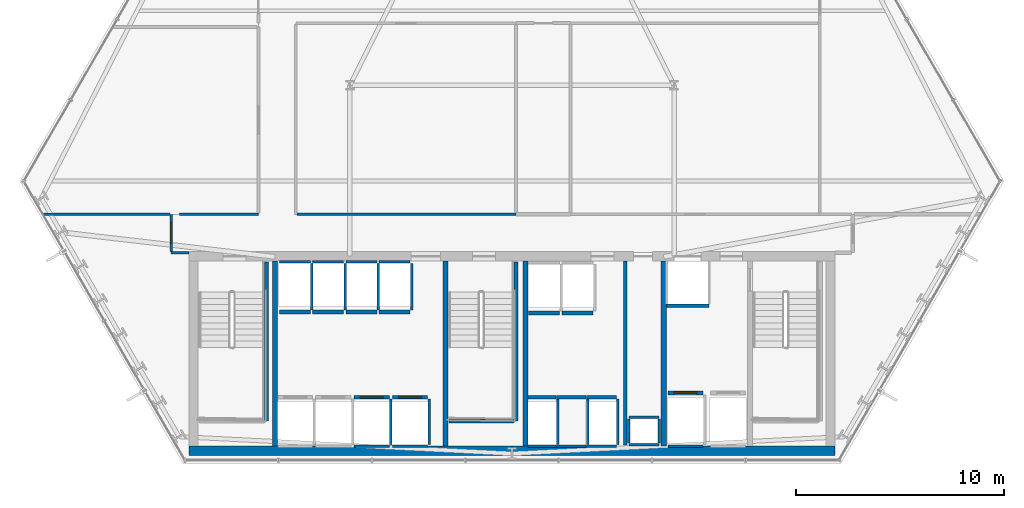
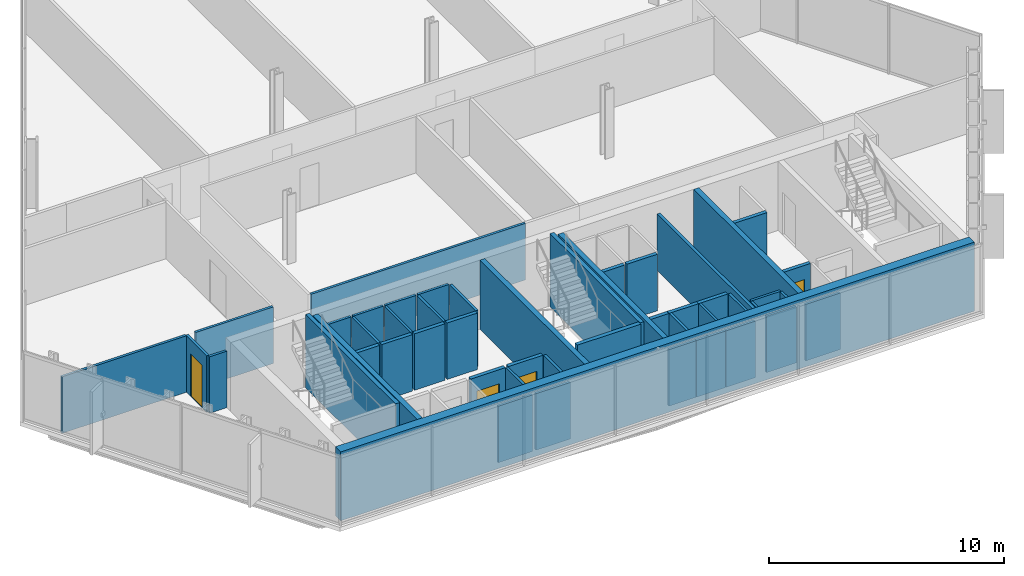
# One storey, part 26 of 32: 50 walls, 4 doors, 4 openings.
"""IFC4 building model written with IfcOpenShell, lengths in metres."""

import ifcopenshell
import ifcopenshell.guid

model = None  # the IFC model being written
_history = None  # IfcOwnerHistory: only IFC2X3 demands one
_inside = {}  # id of a spatial element -> (the spatial element, [elements in it])
_under = {}  # id of a project, library or spatial element -> (it, [spatial elements below it])
_declared = {}  # id of a project -> (the project, [libraries it declares])
_typed = {}  # id of a type object -> (the type object, [elements of that type])
_made_of = {}  # id of a material, layer set ... -> (it, [elements and type objects made of it])


def new_model(schema):
    """Start an empty IFC model of exactly this schema.

    Asked for "IFC4X3", IfcOpenShell would pick the latest addendum, in which some entities
    have other attributes; the version numbers below select the first issue.
    IFC2X3 requires an IfcOwnerHistory on every rooted entity: one is made here for all.
    """
    global model, _history
    if schema == "IFC4X3":
        model = ifcopenshell.file(schema_version=(4, 3, 0, 0))
    else:
        model = ifcopenshell.file(schema=schema)
    _inside.clear()
    _under.clear()
    _declared.clear()
    _typed.clear()
    _made_of.clear()
    _history = None
    if model.schema == "IFC2X3":
        org = make("IfcOrganization", Name="unknown")
        user = make(
            "IfcPersonAndOrganization",
            ThePerson=make("IfcPerson", FamilyName="unknown"),
            TheOrganization=org,
        )
        app = make(
            "IfcApplication",
            ApplicationDeveloper=org,
            Version="unknown",
            ApplicationFullName="unknown",
            ApplicationIdentifier="unknown",
        )
        _history = make(
            "IfcOwnerHistory",
            OwningUser=user,
            OwningApplication=app,
            ChangeAction="ADDED",
            CreationDate=0,
        )
    return model


def make(cls, **values):
    """One entity of the class cls with the attributes given. An attribute that is None is left unset."""
    return model.create_entity(
        cls, **{name: value for name, value in values.items() if value is not None}
    )


def rooted(cls, **values):
    """An entity with a GlobalId (a new one), such as an element, a storey or a relation."""
    return make(cls, GlobalId=ifcopenshell.guid.new(), OwnerHistory=_history, **values)


def si_unit(unit_type, name, prefix=None):
    """IfcSIUnit, for example si_unit("LENGTHUNIT", "METRE", prefix="MILLI")."""
    return make("IfcSIUnit", UnitType=unit_type, Prefix=prefix, Name=name)


def assignment(units):
    """IfcUnitAssignment: the units of a project."""
    return None if units is None else make("IfcUnitAssignment", Units=units)


def point(xyz):
    """IfcCartesianPoint."""
    return None if xyz is None else make("IfcCartesianPoint", Coordinates=xyz)


def direction(xyz):
    """IfcDirection."""
    return None if xyz is None else make("IfcDirection", DirectionRatios=xyz)


def frame(location, z_axis=None, x_axis=None):
    """IfcAxis2Placement3D, a coordinate frame: its origin and axes. An axis left out is left unset."""
    return make(
        "IfcAxis2Placement3D",
        Location=point(location),
        Axis=direction(z_axis),
        RefDirection=direction(x_axis),
    )


def frame_2d(location, x_axis=None):
    """IfcAxis2Placement2D, a coordinate frame in the plane: its origin and x axis."""
    return make(
        "IfcAxis2Placement2D", Location=point(location), RefDirection=direction(x_axis)
    )


def origin():
    """The frame at (0, 0, 0) with its axes left unset."""
    return frame((0.0, 0.0, 0.0))


def place(relative_to, where):
    """IfcLocalPlacement: puts the frame where relative to a parent placement (None: the world)."""
    return make(
        "IfcLocalPlacement", PlacementRelTo=relative_to, RelativePlacement=where
    )


def context(
    kind, dimensions, precision=None, world=None, true_north=None, identifier=None
):
    """IfcGeometricRepresentationContext, for example the 3D "Model" context."""
    return make(
        "IfcGeometricRepresentationContext",
        ContextIdentifier=identifier,
        ContextType=kind,
        CoordinateSpaceDimension=dimensions,
        Precision=precision,
        WorldCoordinateSystem=world,
        TrueNorth=true_north,
    )


def subcontext(parent, identifier, kind, view, scale=None):
    """IfcGeometricRepresentationSubContext, for example "Body" below "Model"."""
    return make(
        "IfcGeometricRepresentationSubContext",
        ContextIdentifier=identifier,
        ContextType=kind,
        ParentContext=parent,
        TargetScale=scale,
        TargetView=view,
    )


def project(units=None, contexts=None):
    """IfcProject with its units and contexts."""
    return rooted(
        "IfcProject",
        Name="project",
        RepresentationContexts=contexts,
        UnitsInContext=assignment(units),
    )


def spatial(cls, under=None, at=None, **own):
    """A site, building, storey or space (cls), placed at a placement, below another one or the project."""
    s = rooted(cls, ObjectPlacement=at, **own)
    if under is not None:
        _under.setdefault(under.id(), (under, []))[1].append(s)
    return s


def profile(cls, at=None, kind="AREA", **sizes):
    """A parametric profile (cls). Its sizes go by their IFC names, for example OverallWidth=200.0."""
    return make(cls, ProfileType=kind, Position=at, **sizes)


def rectangle(**sizes):
    """IfcRectangleProfileDef."""
    return profile("IfcRectangleProfileDef", **sizes)


def extrude(swept, where, along, depth):
    """IfcExtrudedAreaSolid: the profile swept, set in the frame where, extruded along a direction by depth."""
    return make(
        "IfcExtrudedAreaSolid",
        SweptArea=swept,
        Position=where,
        ExtrudedDirection=direction(along),
        Depth=depth,
    )


def shape(context_of_items, identifier, shape_type, items):
    """IfcShapeRepresentation: the items that make up one representation, for example the "Body"."""
    return make(
        "IfcShapeRepresentation",
        ContextOfItems=context_of_items,
        RepresentationIdentifier=identifier,
        RepresentationType=shape_type,
        Items=items,
    )


def material(Name=None, Category=None):
    """IfcMaterial."""
    return make("IfcMaterial", Name=Name, Category=Category)


def layer(
    of_material, thickness, ventilated=None, Name=None, Category=None, Priority=None
):
    """IfcMaterialLayer: one layer of a wall or slab, of a material (None: an air gap)."""
    return make(
        "IfcMaterialLayer",
        Material=of_material,
        LayerThickness=thickness,
        IsVentilated=ventilated,
        Name=Name,
        Category=Category,
        Priority=Priority,
    )


def layer_set(layers, Name=None):
    """IfcMaterialLayerSet."""
    return make("IfcMaterialLayerSet", MaterialLayers=layers, LayerSetName=Name)


def made_of(thing, what):
    """Note that an element or type object is made of a material, layer set ...; save() writes the relation."""
    if what is not None:
        _made_of.setdefault(what.id(), (what, []))[1].append(thing)
    return thing


def type_object(cls, material=None, **own):
    """A type object (cls), such as IfcWallType, which elements share."""
    return made_of(rooted(cls, **own), material)


def element(
    cls,
    number,
    at=None,
    inside=None,
    cuts=None,
    type_object=None,
    material=None,
    context=None,
    identifier="Body",
    shape_type=None,
    held_by="IfcProductDefinitionShape",
    body=None,
    shapes=None,
    **own,
):
    """One element of the class cls, such as IfcWall. Its Tag is "e" and its number.

    at: its placement. inside: the storey or other place that contains it. cuts: it is an
    opening in that element (IfcRelVoidsElement). A single representation is given by context,
    identifier, shape_type and body (its items); several are given by shapes. held_by: the class
    of the entity that holds the representations. save() writes the other relations.
    """
    e = rooted(cls, Tag="e%d" % number, ObjectPlacement=at, **own)
    if body is not None:
        shapes = [shape(context, identifier, shape_type, body)]
    if shapes is not None:
        e.Representation = make(held_by, Representations=shapes)
    if inside is not None:
        _inside.setdefault(inside.id(), (inside, []))[1].append(e)
    if cuts is not None:
        rooted(
            "IfcRelVoidsElement", RelatingBuildingElement=cuts, RelatedOpeningElement=e
        )
    if type_object is not None:
        _typed.setdefault(type_object.id(), (type_object, []))[1].append(e)
    return made_of(e, material)


def fill(opening, filler):
    """IfcRelFillsElement: the door or window that sits in an opening."""
    return rooted(
        "IfcRelFillsElement",
        RelatingOpeningElement=opening,
        RelatedBuildingElement=filler,
    )


def aggregate(whole, parts):
    """IfcRelAggregates: a whole, such as a stair, and the parts it consists of."""
    return rooted("IfcRelAggregates", RelatingObject=whole, RelatedObjects=parts)


def save(model, path):
    """Write the relations noted so far, then the file.

    IfcRelAggregates (storeys below a building ...), IfcRelContainedInSpatialStructure (elements
    in a storey), IfcRelDefinesByType, IfcRelAssociatesMaterial and IfcRelDeclares: one each for
    every whole, place, type object, material and project.
    """
    for whole, parts in _under.values():
        aggregate(whole, parts)
    for where, things in _inside.values():
        rooted(
            "IfcRelContainedInSpatialStructure",
            RelatedElements=things,
            RelatingStructure=where,
        )
    for kind, things in _typed.values():
        rooted("IfcRelDefinesByType", RelatedObjects=things, RelatingType=kind)
    for what, things in _made_of.values():
        rooted("IfcRelAssociatesMaterial", RelatedObjects=things, RelatingMaterial=what)
    for by, libraries in _declared.values():
        rooted("IfcRelDeclares", RelatingContext=by, RelatedDefinitions=libraries)
    model.write(path)


model = new_model("IFC4")

# Units and contexts
model_context = context("Model", 3, precision=1e-05, world=origin(), true_north=direction((0.0, 1.0)))
body_context = subcontext(model_context, "Body", "Model", "MODEL_VIEW")
ifc_project = project(units=[si_unit("LENGTHUNIT", "METRE"), si_unit("AREAUNIT", "SQUARE_METRE"), si_unit("VOLUMEUNIT", "CUBIC_METRE"), si_unit("PLANEANGLEUNIT", "RADIAN"), si_unit("MASSUNIT", "GRAM", prefix="KILO")], contexts=[model_context])

# Site, building, storey
site_placement = place(None, origin())
site = spatial("IfcSite", under=ifc_project, at=site_placement, CompositionType="ELEMENT")
building_placement = place(site_placement, origin())
building = spatial("IfcBuilding", under=site, at=building_placement, Name="Ndaravel Arena Tower", CompositionType="ELEMENT")
storey_placement = place(building_placement, frame((0.0, 0.0, 62.60009765625)))
storey = spatial("IfcBuildingStorey", under=building, at=storey_placement, Name="L13", CompositionType="ELEMENT", Elevation=62.60009765625)

# Walls
ifc_material_1 = material(Name="Gypsum", Category="gypsum")
ifc_layer_1 = layer(ifc_material_1, 0.14990234375)
ifc_layer_set_1 = layer_set([ifc_layer_1], Name="Gypsum")
wall_type_1 = type_object("IfcWallType", Name="WALL-COMP-150", PredefinedType="PARTITIONING", material=ifc_layer_set_1)
wall_1_placement = place(storey_placement, frame((47.449951171875, 5.89990234375, 0.0), z_axis=(0.0, 0.0, 1.0), x_axis=(0.0, 1.0, 0.0)))
element("IfcWall", 1, at=wall_1_placement, inside=storey, type_object=wall_type_1, Name="L13 Core Riser Bay Partition", PredefinedType="PARTITIONING", context=body_context, shape_type="SweptSolid", body=[
    extrude(rectangle(XDim=8.85009765625, YDim=0.14990234375, at=frame_2d((4.425048828125, 0.0))), origin(), (0.0, 0.0, 1.0), 2.9326171875),
])
ifc_material_2 = material(Name="Concrete C60/75", Category="concrete")
ifc_layer_2 = layer(ifc_material_2, 0.25)
ifc_layer_set_2 = layer_set([ifc_layer_2], Name="Concrete C60/75")
wall_type_2 = type_object("IfcWallType", Name="WALL-CORE-250", PredefinedType="SOLIDWALL", material=ifc_layer_set_2)
for number, where, z_axis, x_axis, name in (
    (2, (30.60009765625, 5.85009765625, 0.0), (0.0, 0.0, 1.0), (0.0, 1.0, 0.0), "L13 Core Web Shear Wall 1"),
    (3, (38.800048828125, 5.85009765625, 0.0), (0.0, 0.0, 1.0), (0.0, 1.0, 0.0), "L13 Core Web Shear Wall 2"),
    (4, (42.64990234375, 5.85009765625, 0.0), (0.0, 0.0, 1.0), (0.0, 1.0, 0.0), "L13 Core Web Shear Wall 3"),
    (5, (49.300048828125, 5.85009765625, 0.0), (0.0, 0.0, 1.0), (0.0, 1.0, 0.0), "L13 Core Web Shear Wall 4"),
):
    element("IfcWall", number, at=place(storey_placement, frame(where, z_axis=z_axis, x_axis=x_axis)), inside=storey, type_object=wall_type_2, Name=name, PredefinedType="SOLIDWALL", context=body_context, shape_type="SweptSolid", body=[
        extrude(rectangle(XDim=8.89990234375, YDim=0.25, at=frame_2d((4.449951171875, 0.0))), origin(), (0.0, 0.0, 1.0), 3.579833984375),
    ])
ifc_material_3 = material(Name="Concrete C60/75", Category="concrete")
ifc_layer_3 = layer(ifc_material_3, 0.449951171875)
ifc_layer_set_3 = layer_set([ifc_layer_3], Name="Concrete C60/75")
wall_type_3 = type_object("IfcWallType", Name="WALL-CORE-450", PredefinedType="SOLIDWALL", material=ifc_layer_set_3)
wall_2_placement = place(storey_placement, frame((26.449951171875, 5.625, 0.0), z_axis=(0.0, 0.0, 1.0), x_axis=(1.0, 0.0, 0.0)))
element("IfcWall", 6, at=wall_2_placement, inside=storey, type_object=wall_type_3, Name="L13 Core South Shear Wall", PredefinedType="SOLIDWALL", context=body_context, shape_type="SweptSolid", body=[
    extrude(rectangle(XDim=31.10009765625, YDim=0.449951171875, at=frame_2d((15.550048828125, 0.0))), origin(), (0.0, 0.0, 1.0), 3.579833984375),
])
ifc_material_4 = material(Name="Gypsum", Category="gypsum")
ifc_layer_4 = layer(ifc_material_4, 0.125)
ifc_layer_set_4 = layer_set([ifc_layer_4], Name="Gypsum")
wall_type_4 = type_object("IfcWallType", Name="WALL-PART-125", PredefinedType="PARTITIONING", material=ifc_layer_set_4)
wall_3_placement = place(storey_placement, frame((26.449951171875, 15.14990234375, 0.0), z_axis=(0.0, 0.0, 1.0), x_axis=(-1.0, 0.0, 0.0)))
element("IfcWall", 7, at=wall_3_placement, inside=storey, type_object=wall_type_4, Name="L13 Interior Partition 003", PredefinedType="PARTITIONING", context=body_context, shape_type="SweptSolid", body=[
    extrude(rectangle(XDim=0.849853515625, YDim=0.125, at=frame_2d((0.4248046875, 0.0))), origin(), (0.0, 0.0, 1.0), 2.9326171875),
])

# Wall, opening, door
wall_4_placement = place(storey_placement, frame((25.60009765625, 15.215087890625, 0.0), z_axis=(0.0, 0.0, 1.0), x_axis=(0.0, 1.0, 0.0)))
wall_4 = element("IfcWall", 8, at=wall_4_placement, inside=storey, type_object=wall_type_4, Name="L13 Interior Partition 004", PredefinedType="PARTITIONING", context=body_context, shape_type="SweptSolid", body=[
    extrude(rectangle(XDim=1.784912109375, YDim=0.125, at=frame_2d((0.892578125, 0.0))), origin(), (0.0, 0.0, 1.0), 2.9326171875),
])
opening_1_placement = place(wall_4_placement, frame((0.41748046875, 0.0, 0.0)))
opening_1 = element("IfcOpeningElement", 9, at=opening_1_placement, cuts=wall_4, Name="Opening ID-01", PredefinedType="OPENING", context=body_context, shape_type="SweptSolid", body=[
    extrude(rectangle(XDim=0.949951171875, YDim=2.199951171875, at=frame_2d((0.47509765625, 1.10009765625))), frame((0.0, 0.0625, 0.0), z_axis=(0.0, -1.0, 0.0), x_axis=(1.0, 0.0, 0.0)), (0.0, 0.0, 1.0), 0.125),
])
ifc_material_5 = material(Name="Timber", Category="wood")
door_type_1 = type_object("IfcDoorType", Name="DT-03-OFFICE-950", OperationType="SINGLE_SWING_LEFT", PredefinedType="DOOR", material=ifc_material_5)
door_1_placement = place(opening_1_placement, origin())
door_1 = element("IfcDoor", 10, at=door_1_placement, inside=storey, type_object=door_type_1, Name="L13 Open Plan Workplace Door", OperationType="SINGLE_SWING_RIGHT", OverallHeight=2.199951171875, OverallWidth=0.949951171875, PredefinedType="DOOR", context=body_context, shape_type="SweptSolid", body=[
    extrude(rectangle(XDim=0.949951171875, YDim=2.199951171875, at=frame_2d((0.47509765625, 1.10009765625))), frame((0.0, 0.02490234375, 0.0), z_axis=(0.0, -1.0, 0.0), x_axis=(1.0, 0.0, 0.0)), (0.0, 0.0, 1.0), 0.050048828125),
])
fill(opening_1, door_1)

# Walls
wall_5_placement = place(storey_placement, frame((26.0, 17.0, 0.0), z_axis=(0.0, 0.0, 1.0), x_axis=(1.0, 0.0, 0.0)))
element("IfcWall", 11, at=wall_5_placement, inside=storey, type_object=wall_type_4, Name="L13 Interior Partition 005", PredefinedType="PARTITIONING", context=body_context, shape_type="SweptSolid", body=[
    extrude(rectangle(XDim=3.800048828125, YDim=0.125, at=frame_2d((1.89990234375, 0.0))), origin(), (0.0, 0.0, 1.0), 2.9326171875),
])
wall_6_placement = place(storey_placement, frame((31.6650390625, 17.0, 0.0), z_axis=(0.0, 0.0, 1.0), x_axis=(1.0, 0.0, 0.0)))
element("IfcWall", 12, at=wall_6_placement, inside=storey, type_object=wall_type_4, Name="L13 Interior Partition 018", PredefinedType="PARTITIONING", context=body_context, shape_type="SweptSolid", body=[
    extrude(rectangle(XDim=10.51904296875, YDim=0.125, at=frame_2d((5.259521484375, 0.0))), origin(), (0.0, 0.0, 1.0), 2.9326171875),
])
wall_7_placement = place(storey_placement, frame((19.42919921875, 17.0, 0.0), z_axis=(0.0, 0.0, 1.0), x_axis=(1.0, 0.0, 0.0)))
element("IfcWall", 13, at=wall_7_placement, inside=storey, type_object=wall_type_4, Name="L13 Interior Partition 022", PredefinedType="PARTITIONING", context=body_context, shape_type="SweptSolid", body=[
    extrude(rectangle(XDim=6.105712890625, YDim=0.125, at=frame_2d((3.052734375, 0.0))), origin(), (0.0, 0.0, 1.0), 2.9326171875),
])
ifc_material_6 = material(Name="Concrete C40/50", Category="concrete")
ifc_layer_5 = layer(ifc_material_6, 0.1201171875)
ifc_layer_set_5 = layer_set([ifc_layer_5], Name="Concrete C40/50")
wall_type_5 = type_object("IfcWallType", Name="WALL-SHAFT-120", PredefinedType="SOLIDWALL", material=ifc_layer_set_5)
for number, where, z_axis, x_axis, name in (
    (14, (47.6201171875, 5.919921875, 0.0), (0.0, 0.0, 1.0), (1.0, 0.0, 0.0), "L13 MEP Riser Shaft S Wall"),
    (15, (47.6201171875, 7.219970703125, 0.0), (0.0, 0.0, 1.0), (1.0, 0.0, 0.0), "L13 MEP Riser Shaft N Wall"),
):
    element("IfcWall", number, at=place(storey_placement, frame(where, z_axis=z_axis, x_axis=x_axis)), inside=storey, type_object=wall_type_5, Name=name, PredefinedType="SOLIDWALL", context=body_context, shape_type="SweptSolid", body=[
        extrude(rectangle(XDim=1.4599609375, YDim=0.1201171875, at=frame_2d((0.72998046875, 0.0))), origin(), (0.0, 0.0, 1.0), 2.9326171875),
    ])
for number, where, z_axis, x_axis, name in (
    (16, (47.6201171875, 6.0, 0.0), (0.0, 0.0, 1.0), (0.0, 1.0, 0.0), "L13 MEP Riser Shaft W Wall"),
    (17, (49.080078125, 6.0, 0.0), (0.0, 0.0, 1.0), (0.0, 1.0, 0.0), "L13 MEP Riser Shaft E Wall"),
):
    element("IfcWall", number, at=place(storey_placement, frame(where, z_axis=z_axis, x_axis=x_axis)), inside=storey, type_object=wall_type_5, Name=name, PredefinedType="SOLIDWALL", context=body_context, shape_type="SweptSolid", body=[
        extrude(rectangle(XDim=1.139892578125, YDim=0.1201171875, at=frame_2d((0.56982421875, 0.0))), origin(), (0.0, 0.0, 1.0), 2.9326171875),
    ])
wall_8_placement = place(storey_placement, frame((34.405029296875, 5.840087890625, 0.0), z_axis=(0.0, 0.0, 1.0), x_axis=(1.0, 0.0, 0.0)))
element("IfcWall", 18, at=wall_8_placement, inside=storey, type_object=wall_type_5, Name="L13 PL-L3 Shaft Rear Wall", PredefinedType="SOLIDWALL", context=body_context, shape_type="SweptSolid", body=[
    extrude(rectangle(XDim=1.68994140625, YDim=0.1201171875, at=frame_2d((0.844970703125, 0.0))), origin(), (0.0, 0.0, 1.0), 2.9326171875),
])
wall_9_placement = place(storey_placement, frame((36.175048828125, 5.929931640625, 0.0), z_axis=(0.0, 0.0, 1.0), x_axis=(0.0, 1.0, 0.0)))
element("IfcWall", 19, at=wall_9_placement, inside=storey, type_object=wall_type_5, Name="L13 PL-L3 Shaft Side R Wall", PredefinedType="SOLIDWALL", context=body_context, shape_type="SweptSolid", body=[
    extrude(rectangle(XDim=2.18017578125, YDim=0.1201171875, at=frame_2d((1.090087890625, 0.0))), origin(), (0.0, 0.0, 1.0), 2.9326171875),
])
wall_10_placement = place(storey_placement, frame((36.2548828125, 5.840087890625, 0.0), z_axis=(0.0, 0.0, 1.0), x_axis=(1.0, 0.0, 0.0)))
element("IfcWall", 20, at=wall_10_placement, inside=storey, type_object=wall_type_5, Name="L13 PL-L4 Shaft Rear Wall", PredefinedType="SOLIDWALL", context=body_context, shape_type="SweptSolid", body=[
    extrude(rectangle(XDim=1.690185546875, YDim=0.1201171875, at=frame_2d((0.84521484375, 0.0))), origin(), (0.0, 0.0, 1.0), 2.9326171875),
])
wall_11_placement = place(storey_placement, frame((38.02490234375, 5.929931640625, 0.0), z_axis=(0.0, 0.0, 1.0), x_axis=(0.0, 1.0, 0.0)))
element("IfcWall", 21, at=wall_11_placement, inside=storey, type_object=wall_type_5, Name="L13 PL-L4 Shaft Side R Wall", PredefinedType="SOLIDWALL", context=body_context, shape_type="SweptSolid", body=[
    extrude(rectangle(XDim=2.18017578125, YDim=0.1201171875, at=frame_2d((1.090087890625, 0.0))), origin(), (0.0, 0.0, 1.0), 2.9326171875),
])
wall_12_placement = place(storey_placement, frame((30.804931640625, 14.7099609375, 0.0), z_axis=(0.0, 0.0, 1.0), x_axis=(1.0, 0.0, 0.0)))
element("IfcWall", 22, at=wall_12_placement, inside=storey, type_object=wall_type_5, Name="L13 PL-M1 Shaft Rear Wall", PredefinedType="SOLIDWALL", context=body_context, shape_type="SweptSolid", body=[
    extrude(rectangle(XDim=1.489990234375, YDim=0.1201171875, at=frame_2d((0.7451171875, 0.0))), origin(), (0.0, 0.0, 1.0), 2.9326171875),
])
wall_13_placement = place(storey_placement, frame((32.375, 12.389892578125, 0.0), z_axis=(0.0, 0.0, 1.0), x_axis=(0.0, 1.0, 0.0)))
element("IfcWall", 23, at=wall_13_placement, inside=storey, type_object=wall_type_5, Name="L13 PL-M1 Shaft Side R Wall", PredefinedType="SOLIDWALL", context=body_context, shape_type="SweptSolid", body=[
    extrude(rectangle(XDim=2.230224609375, YDim=0.1201171875, at=frame_2d((1.115234375, 0.0))), origin(), (0.0, 0.0, 1.0), 2.9326171875),
])
wall_14_placement = place(storey_placement, frame((32.405029296875, 14.7099609375, 0.0), z_axis=(0.0, 0.0, 1.0), x_axis=(1.0, 0.0, 0.0)))
element("IfcWall", 24, at=wall_14_placement, inside=storey, type_object=wall_type_5, Name="L13 PL-M2 Shaft Rear Wall", PredefinedType="SOLIDWALL", context=body_context, shape_type="SweptSolid", body=[
    extrude(rectangle(XDim=1.489990234375, YDim=0.1201171875, at=frame_2d((0.7451171875, 0.0))), origin(), (0.0, 0.0, 1.0), 2.9326171875),
])
wall_15_placement = place(storey_placement, frame((33.97509765625, 12.389892578125, 0.0), z_axis=(0.0, 0.0, 1.0), x_axis=(0.0, 1.0, 0.0)))
element("IfcWall", 25, at=wall_15_placement, inside=storey, type_object=wall_type_5, Name="L13 PL-M2 Shaft Side R Wall", PredefinedType="SOLIDWALL", context=body_context, shape_type="SweptSolid", body=[
    extrude(rectangle(XDim=2.230224609375, YDim=0.1201171875, at=frame_2d((1.115234375, 0.0))), origin(), (0.0, 0.0, 1.0), 2.9326171875),
])
wall_16_placement = place(storey_placement, frame((34.0048828125, 14.7099609375, 0.0), z_axis=(0.0, 0.0, 1.0), x_axis=(1.0, 0.0, 0.0)))
element("IfcWall", 26, at=wall_16_placement, inside=storey, type_object=wall_type_5, Name="L13 PL-M3 Shaft Rear Wall", PredefinedType="SOLIDWALL", context=body_context, shape_type="SweptSolid", body=[
    extrude(rectangle(XDim=1.490234375, YDim=0.1201171875, at=frame_2d((0.7451171875, 0.0))), origin(), (0.0, 0.0, 1.0), 2.9326171875),
])
wall_17_placement = place(storey_placement, frame((35.574951171875, 12.389892578125, 0.0), z_axis=(0.0, 0.0, 1.0), x_axis=(0.0, 1.0, 0.0)))
element("IfcWall", 27, at=wall_17_placement, inside=storey, type_object=wall_type_5, Name="L13 PL-M3 Shaft Side R Wall", PredefinedType="SOLIDWALL", context=body_context, shape_type="SweptSolid", body=[
    extrude(rectangle(XDim=2.230224609375, YDim=0.1201171875, at=frame_2d((1.115234375, 0.0))), origin(), (0.0, 0.0, 1.0), 2.9326171875),
])
wall_18_placement = place(storey_placement, frame((35.60498046875, 14.7099609375, 0.0), z_axis=(0.0, 0.0, 1.0), x_axis=(1.0, 0.0, 0.0)))
element("IfcWall", 28, at=wall_18_placement, inside=storey, type_object=wall_type_5, Name="L13 PL-M4 Shaft Rear Wall", PredefinedType="SOLIDWALL", context=body_context, shape_type="SweptSolid", body=[
    extrude(rectangle(XDim=1.489990234375, YDim=0.1201171875, at=frame_2d((0.7451171875, 0.0))), origin(), (0.0, 0.0, 1.0), 2.9326171875),
])
wall_19_placement = place(storey_placement, frame((37.175048828125, 12.389892578125, 0.0), z_axis=(0.0, 0.0, 1.0), x_axis=(0.0, 1.0, 0.0)))
element("IfcWall", 29, at=wall_19_placement, inside=storey, type_object=wall_type_5, Name="L13 PL-M4 Shaft Side R Wall", PredefinedType="SOLIDWALL", context=body_context, shape_type="SweptSolid", body=[
    extrude(rectangle(XDim=2.230224609375, YDim=0.1201171875, at=frame_2d((1.115234375, 0.0))), origin(), (0.0, 0.0, 1.0), 2.9326171875),
])
wall_20_placement = place(storey_placement, frame((42.780029296875, 5.840087890625, 0.0), z_axis=(0.0, 0.0, 1.0), x_axis=(1.0, 0.0, 0.0)))
element("IfcWall", 30, at=wall_20_placement, inside=storey, type_object=wall_type_5, Name="L13 PL-H1 Shaft Rear Wall", PredefinedType="SOLIDWALL", context=body_context, shape_type="SweptSolid", body=[
    extrude(rectangle(XDim=1.340087890625, YDim=0.1201171875, at=frame_2d((0.669921875, 0.0))), origin(), (0.0, 0.0, 1.0), 2.9326171875),
])
wall_21_placement = place(storey_placement, frame((44.199951171875, 5.929931640625, 0.0), z_axis=(0.0, 0.0, 1.0), x_axis=(0.0, 1.0, 0.0)))
element("IfcWall", 31, at=wall_21_placement, inside=storey, type_object=wall_type_5, Name="L13 PL-H1 Shaft Side R Wall", PredefinedType="SOLIDWALL", context=body_context, shape_type="SweptSolid", body=[
    extrude(rectangle(XDim=2.18017578125, YDim=0.1201171875, at=frame_2d((1.090087890625, 0.0))), origin(), (0.0, 0.0, 1.0), 2.9326171875),
])
wall_22_placement = place(storey_placement, frame((44.1298828125, 5.840087890625, 0.0), z_axis=(0.0, 0.0, 1.0), x_axis=(1.0, 0.0, 0.0)))
element("IfcWall", 32, at=wall_22_placement, inside=storey, type_object=wall_type_5, Name="L13 PL-H2 Shaft Rear Wall", PredefinedType="SOLIDWALL", context=body_context, shape_type="SweptSolid", body=[
    extrude(rectangle(XDim=1.440185546875, YDim=0.1201171875, at=frame_2d((0.72021484375, 0.0))), origin(), (0.0, 0.0, 1.0), 2.9326171875),
])
wall_23_placement = place(storey_placement, frame((45.64990234375, 5.929931640625, 0.0), z_axis=(0.0, 0.0, 1.0), x_axis=(0.0, 1.0, 0.0)))
element("IfcWall", 33, at=wall_23_placement, inside=storey, type_object=wall_type_5, Name="L13 PL-H2 Shaft Side R Wall", PredefinedType="SOLIDWALL", context=body_context, shape_type="SweptSolid", body=[
    extrude(rectangle(XDim=2.18017578125, YDim=0.1201171875, at=frame_2d((1.090087890625, 0.0))), origin(), (0.0, 0.0, 1.0), 2.9326171875),
])
wall_24_placement = place(storey_placement, frame((45.580078125, 5.840087890625, 0.0), z_axis=(0.0, 0.0, 1.0), x_axis=(1.0, 0.0, 0.0)))
element("IfcWall", 34, at=wall_24_placement, inside=storey, type_object=wall_type_5, Name="L13 PL-H3 Shaft Rear Wall", PredefinedType="SOLIDWALL", context=body_context, shape_type="SweptSolid", body=[
    extrude(rectangle(XDim=1.43994140625, YDim=0.1201171875, at=frame_2d((0.719970703125, 0.0))), origin(), (0.0, 0.0, 1.0), 2.9326171875),
])
wall_25_placement = place(storey_placement, frame((47.10009765625, 5.929931640625, 0.0), z_axis=(0.0, 0.0, 1.0), x_axis=(0.0, 1.0, 0.0)))
element("IfcWall", 35, at=wall_25_placement, inside=storey, type_object=wall_type_5, Name="L13 PL-H3 Shaft Side R Wall", PredefinedType="SOLIDWALL", context=body_context, shape_type="SweptSolid", body=[
    extrude(rectangle(XDim=2.18017578125, YDim=0.1201171875, at=frame_2d((1.090087890625, 0.0))), origin(), (0.0, 0.0, 1.0), 2.9326171875),
])
wall_26_placement = place(storey_placement, frame((49.5048828125, 5.840087890625, 0.0), z_axis=(0.0, 0.0, 1.0), x_axis=(1.0, 0.0, 0.0)))
element("IfcWall", 36, at=wall_26_placement, inside=storey, type_object=wall_type_5, Name="L13 FFL-1 Shaft Rear Wall", PredefinedType="SOLIDWALL", context=body_context, shape_type="SweptSolid", body=[
    extrude(rectangle(XDim=1.690185546875, YDim=0.1201171875, at=frame_2d((0.84521484375, 0.0))), origin(), (0.0, 0.0, 1.0), 2.9326171875),
])
ifc_material_7 = material(Name="Concrete C40/50", Category="concrete")
ifc_layer_6 = layer(ifc_material_7, 0.199951171875)
ifc_layer_set_6 = layer_set([ifc_layer_6], Name="Concrete C40/50")
wall_type_6 = type_object("IfcWallType", Name="WALL-SHAFT-200", PredefinedType="SOLIDWALL", material=ifc_layer_set_6)
for number, where, z_axis, x_axis, name in (
    (37, (30.18994140625, 14.699951171875, 0.0), (0.0, 0.0, 1.0), (0.0, -1.0, 0.0), "L13 ST-1 Structural Shaft Wall Right"),
    (38, (42.18994140625, 14.699951171875, 0.0), (0.0, 0.0, 1.0), (0.0, -1.0, 0.0), "L13 ST-2 Structural Shaft Wall Right"),
):
    element("IfcWall", number, at=place(storey_placement, frame(where, z_axis=z_axis, x_axis=x_axis)), inside=storey, type_object=wall_type_6, Name=name, PredefinedType="SOLIDWALL", context=body_context, shape_type="SweptSolid", body=[
        extrude(rectangle(XDim=7.64990234375, YDim=0.199951171875, at=frame_2d((3.824951171875, 0.0))), origin(), (0.0, 0.0, 1.0), 3.7998046875),
    ])
wall_27_placement = place(storey_placement, frame((38.969970703125, 7.050048828125, 0.0), z_axis=(0.0, 0.0, 1.0), x_axis=(1.0, 0.0, 0.0)))
element("IfcWall", 39, at=wall_27_placement, inside=storey, type_object=wall_type_6, Name="L13 ST-2 Structural Shaft Wall Far", PredefinedType="SOLIDWALL", context=body_context, shape_type="SweptSolid", body=[
    extrude(rectangle(XDim=3.114990234375, YDim=0.199951171875, at=frame_2d((1.5576171875, 0.0))), origin(), (0.0, 0.0, 1.0), 3.7998046875),
])

# Wall, opening, door
wall_28_placement = place(storey_placement, frame((34.405029296875, 8.199951171875, 0.0), z_axis=(0.0, 0.0, 1.0), x_axis=(1.0, 0.0, 0.0)))
wall_28 = element("IfcWall", 40, at=wall_28_placement, inside=storey, type_object=wall_type_6, Name="L13 PL-L3 Shaft Landing Wall", PredefinedType="SOLIDWALL", context=body_context, shape_type="SweptSolid", body=[
    extrude(rectangle(XDim=1.68994140625, YDim=0.179931640625, at=frame_2d((0.844970703125, 0.0))), origin(), (0.0, 0.0, 1.0), 2.9326171875),
])
opening_2_placement = place(wall_28_placement, frame((0.294921875, 0.0, 0.0)))
opening_2 = element("IfcOpeningElement", 41, at=opening_2_placement, cuts=wall_28, Name="Opening LD-01", PredefinedType="OPENING", context=body_context, shape_type="SweptSolid", body=[
    extrude(rectangle(XDim=1.10009765625, YDim=2.199951171875, at=frame_2d((0.550048828125, 1.10009765625))), frame((0.0, 0.08984375, 0.0), z_axis=(0.0, -1.0, 0.0), x_axis=(1.0, 0.0, 0.0)), (0.0, 0.0, 1.0), 0.179931640625),
])
ifc_material_8 = material(Name="Steel S355", Category="steel")
door_type_2 = type_object("IfcDoorType", Name="DT-06-LIFT-1100", OperationType="SLIDING_TO_LEFT", PredefinedType="DOOR", material=ifc_material_8)
door_2_placement = place(opening_2_placement, origin())
door_2 = element("IfcDoor", 42, at=door_2_placement, inside=storey, type_object=door_type_2, Name="L13 Lift PL-L3 Sliding Landing Door", OperationType="SLIDING_TO_LEFT", OverallHeight=2.199951171875, OverallWidth=1.10009765625, PredefinedType="DOOR", context=body_context, shape_type="SweptSolid", body=[
    extrude(rectangle(XDim=1.10009765625, YDim=2.199951171875, at=frame_2d((0.550048828125, 1.10009765625))), frame((0.0, 0.02490234375, 0.0), z_axis=(0.0, -1.0, 0.0), x_axis=(1.0, 0.0, 0.0)), (0.0, 0.0, 1.0), 0.050048828125),
])
fill(opening_2, door_2)

wall_29_placement = place(storey_placement, frame((36.2548828125, 8.199951171875, 0.0), z_axis=(0.0, 0.0, 1.0), x_axis=(1.0, 0.0, 0.0)))
wall_29 = element("IfcWall", 43, at=wall_29_placement, inside=storey, type_object=wall_type_6, Name="L13 PL-L4 Shaft Landing Wall", PredefinedType="SOLIDWALL", context=body_context, shape_type="SweptSolid", body=[
    extrude(rectangle(XDim=1.690185546875, YDim=0.179931640625, at=frame_2d((0.84521484375, 0.0))), origin(), (0.0, 0.0, 1.0), 2.9326171875),
])
opening_3_placement = place(wall_29_placement, frame((0.294921875, 0.0, 0.0)))
opening_3 = element("IfcOpeningElement", 44, at=opening_3_placement, cuts=wall_29, Name="Opening LD-01", PredefinedType="OPENING", context=body_context, shape_type="SweptSolid", body=[
    extrude(rectangle(XDim=1.10009765625, YDim=2.199951171875, at=frame_2d((0.550048828125, 1.10009765625))), frame((0.0, 0.08984375, 0.0), z_axis=(0.0, -1.0, 0.0), x_axis=(1.0, 0.0, 0.0)), (0.0, 0.0, 1.0), 0.179931640625),
])
door_3_placement = place(opening_3_placement, origin())
door_3 = element("IfcDoor", 45, at=door_3_placement, inside=storey, type_object=door_type_2, Name="L13 Lift PL-L4 Sliding Landing Door", OperationType="SLIDING_TO_LEFT", OverallHeight=2.199951171875, OverallWidth=1.10009765625, PredefinedType="DOOR", context=body_context, shape_type="SweptSolid", body=[
    extrude(rectangle(XDim=1.10009765625, YDim=2.199951171875, at=frame_2d((0.550048828125, 1.10009765625))), frame((0.0, 0.02490234375, 0.0), z_axis=(0.0, -1.0, 0.0), x_axis=(1.0, 0.0, 0.0)), (0.0, 0.0, 1.0), 0.050048828125),
])
fill(opening_3, door_3)

# Walls
for number, where, z_axis, x_axis, name in (
    (46, (30.804931640625, 12.300048828125, 0.0), (0.0, 0.0, 1.0), (1.0, 0.0, 0.0), "L13 PL-M1 Shaft Landing Wall"),
    (47, (32.405029296875, 12.300048828125, 0.0), (0.0, 0.0, 1.0), (1.0, 0.0, 0.0), "L13 PL-M2 Shaft Landing Wall"),
):
    element("IfcWall", number, at=place(storey_placement, frame(where, z_axis=z_axis, x_axis=x_axis)), inside=storey, type_object=wall_type_6, Name=name, PredefinedType="SOLIDWALL", context=body_context, shape_type="SweptSolid", body=[
        extrude(rectangle(XDim=1.489990234375, YDim=0.179931640625, at=frame_2d((0.7451171875, 0.0))), origin(), (0.0, 0.0, 1.0), 2.9326171875),
    ])
wall_30_placement = place(storey_placement, frame((34.0048828125, 12.300048828125, 0.0), z_axis=(0.0, 0.0, 1.0), x_axis=(1.0, 0.0, 0.0)))
element("IfcWall", 48, at=wall_30_placement, inside=storey, type_object=wall_type_6, Name="L13 PL-M3 Shaft Landing Wall", PredefinedType="SOLIDWALL", context=body_context, shape_type="SweptSolid", body=[
    extrude(rectangle(XDim=1.490234375, YDim=0.179931640625, at=frame_2d((0.7451171875, 0.0))), origin(), (0.0, 0.0, 1.0), 2.9326171875),
])
wall_31_placement = place(storey_placement, frame((35.60498046875, 12.300048828125, 0.0), z_axis=(0.0, 0.0, 1.0), x_axis=(1.0, 0.0, 0.0)))
element("IfcWall", 49, at=wall_31_placement, inside=storey, type_object=wall_type_6, Name="L13 PL-M4 Shaft Landing Wall", PredefinedType="SOLIDWALL", context=body_context, shape_type="SweptSolid", body=[
    extrude(rectangle(XDim=1.489990234375, YDim=0.179931640625, at=frame_2d((0.7451171875, 0.0))), origin(), (0.0, 0.0, 1.0), 2.9326171875),
])
wall_32_placement = place(storey_placement, frame((42.780029296875, 8.199951171875, 0.0), z_axis=(0.0, 0.0, 1.0), x_axis=(1.0, 0.0, 0.0)))
element("IfcWall", 50, at=wall_32_placement, inside=storey, type_object=wall_type_6, Name="L13 PL-H1 Shaft Landing Wall", PredefinedType="SOLIDWALL", context=body_context, shape_type="SweptSolid", body=[
    extrude(rectangle(XDim=1.340087890625, YDim=0.179931640625, at=frame_2d((0.669921875, 0.0))), origin(), (0.0, 0.0, 1.0), 2.9326171875),
])
wall_33_placement = place(storey_placement, frame((44.1298828125, 8.199951171875, 0.0), z_axis=(0.0, 0.0, 1.0), x_axis=(1.0, 0.0, 0.0)))
element("IfcWall", 51, at=wall_33_placement, inside=storey, type_object=wall_type_6, Name="L13 PL-H2 Shaft Landing Wall", PredefinedType="SOLIDWALL", context=body_context, shape_type="SweptSolid", body=[
    extrude(rectangle(XDim=1.440185546875, YDim=0.179931640625, at=frame_2d((0.72021484375, 0.0))), origin(), (0.0, 0.0, 1.0), 2.9326171875),
])
wall_34_placement = place(storey_placement, frame((45.580078125, 8.199951171875, 0.0), z_axis=(0.0, 0.0, 1.0), x_axis=(1.0, 0.0, 0.0)))
element("IfcWall", 52, at=wall_34_placement, inside=storey, type_object=wall_type_6, Name="L13 PL-H3 Shaft Landing Wall", PredefinedType="SOLIDWALL", context=body_context, shape_type="SweptSolid", body=[
    extrude(rectangle(XDim=1.43994140625, YDim=0.179931640625, at=frame_2d((0.719970703125, 0.0))), origin(), (0.0, 0.0, 1.0), 2.9326171875),
])
for number, where, z_axis, x_axis, name in (
    (53, (42.804931640625, 12.25, 0.0), (0.0, 0.0, 1.0), (1.0, 0.0, 0.0), "L13 PL-OBS1 Shaft Landing Wall"),
    (54, (44.405029296875, 12.25, 0.0), (0.0, 0.0, 1.0), (1.0, 0.0, 0.0), "L13 PL-OBS2 Shaft Landing Wall"),
):
    element("IfcWall", number, at=place(storey_placement, frame(where, z_axis=z_axis, x_axis=x_axis)), inside=storey, type_object=wall_type_6, Name=name, PredefinedType="SOLIDWALL", context=body_context, shape_type="SweptSolid", body=[
        extrude(rectangle(XDim=1.489990234375, YDim=0.179931640625, at=frame_2d((0.7451171875, 0.0))), origin(), (0.0, 0.0, 1.0), 2.9326171875),
    ])

# Wall, opening, door
wall_35_placement = place(storey_placement, frame((49.5048828125, 8.39990234375, 0.0), z_axis=(0.0, 0.0, 1.0), x_axis=(1.0, 0.0, 0.0)))
wall_35 = element("IfcWall", 55, at=wall_35_placement, inside=storey, type_object=wall_type_6, Name="L13 FFL-1 Shaft Landing Wall", PredefinedType="SOLIDWALL", context=body_context, shape_type="SweptSolid", body=[
    extrude(rectangle(XDim=1.690185546875, YDim=0.179931640625, at=frame_2d((0.84521484375, 0.0))), origin(), (0.0, 0.0, 1.0), 2.9326171875),
])
opening_4_placement = place(wall_35_placement, frame((0.294921875, 0.0, 0.0)))
opening_4 = element("IfcOpeningElement", 56, at=opening_4_placement, cuts=wall_35, Name="Opening LD-01", PredefinedType="OPENING", context=body_context, shape_type="SweptSolid", body=[
    extrude(rectangle(XDim=1.10009765625, YDim=2.199951171875, at=frame_2d((0.550048828125, 1.10009765625))), frame((0.0, 0.08984375, 0.0), z_axis=(0.0, -1.0, 0.0), x_axis=(1.0, 0.0, 0.0)), (0.0, 0.0, 1.0), 0.179931640625),
])
door_4_placement = place(opening_4_placement, origin())
door_4 = element("IfcDoor", 57, at=door_4_placement, inside=storey, type_object=door_type_2, Name="L13 Lift FFL-1 Sliding Landing Door", OperationType="SLIDING_TO_LEFT", OverallHeight=2.199951171875, OverallWidth=1.10009765625, PredefinedType="DOOR", context=body_context, shape_type="SweptSolid", body=[
    extrude(rectangle(XDim=1.10009765625, YDim=2.199951171875, at=frame_2d((0.550048828125, 1.10009765625))), frame((0.0, 0.02490234375, 0.0), z_axis=(0.0, -1.0, 0.0), x_axis=(1.0, 0.0, 0.0)), (0.0, 0.0, 1.0), 0.050048828125),
])
fill(opening_4, door_4)

# Wall
wall_36_placement = place(storey_placement, frame((49.43994140625, 12.594970703125, 0.0), z_axis=(0.0, 0.0, 1.0), x_axis=(1.0, 0.0, 0.0)))
element("IfcWall", 58, at=wall_36_placement, inside=storey, type_object=wall_type_6, Name="L13 SVL-1 Shaft South Wall", PredefinedType="SOLIDWALL", context=body_context, shape_type="SweptSolid", body=[
    extrude(rectangle(XDim=2.0400390625, YDim=0.179931640625, at=frame_2d((1.02001953125, 0.0))), origin(), (0.0, 0.0, 1.0), 2.9326171875),
])

save(model, "model.ifc")
